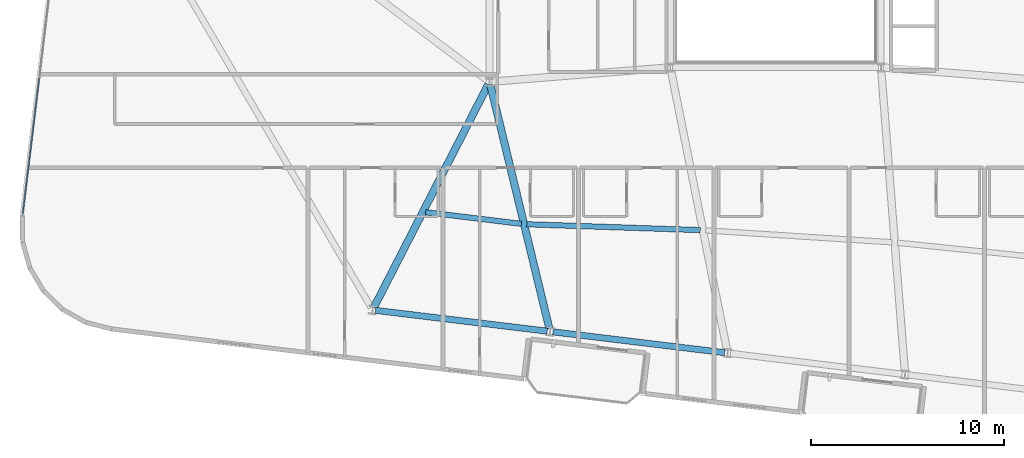
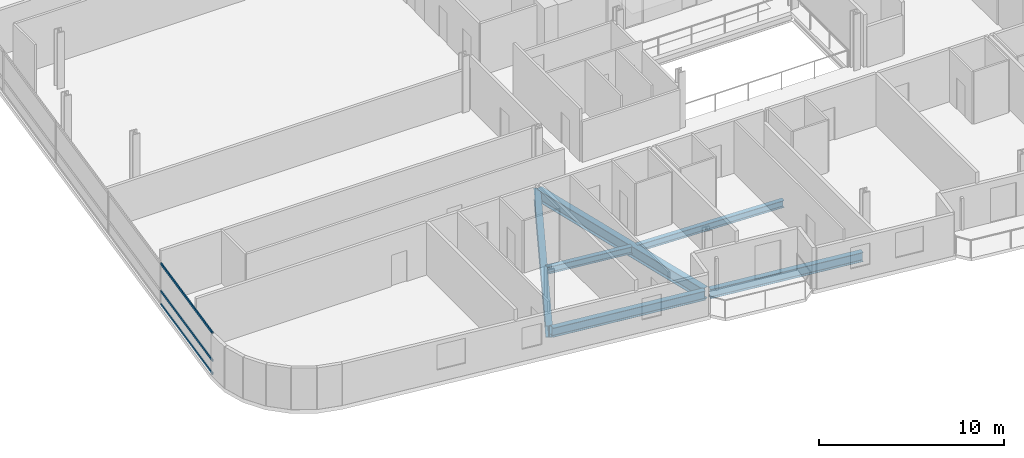
# One storey, part 3 of 26: 6 beams, 3 members, 1 element without a shape of its own.
"""IFC4 building model written with IfcOpenShell, lengths in metres."""

from ifc_helpers import new_model, si_unit, direction, frame, origin, origin_2d, place, context, subcontext, project, spatial, hollow_rectangle, i_section, extrude, material, layer, layer_set, material_profile, profile_set, type_object, element, aggregate, save


model = new_model("IFC4")

# Units and contexts
model_context = context("Model", 3, precision=1e-05, world=origin(), true_north=direction((0.0, 1.0)))
body_context = subcontext(model_context, "Body", "Model", "MODEL_VIEW")
ifc_project = project(units=[si_unit("LENGTHUNIT", "METRE"), si_unit("AREAUNIT", "SQUARE_METRE"), si_unit("VOLUMEUNIT", "CUBIC_METRE"), si_unit("PLANEANGLEUNIT", "RADIAN"), si_unit("MASSUNIT", "GRAM", prefix="KILO")], contexts=[model_context])

# Site, building, storey
site_placement = place(None, origin())
site = spatial("IfcSite", under=ifc_project, at=site_placement, CompositionType="ELEMENT")
building_placement = place(site_placement, origin())
building = spatial("IfcBuilding", under=site, at=building_placement, Name="Varnelok Gate Tower", CompositionType="ELEMENT")
storey_placement = place(building_placement, frame((0.0, 0.0, 155.0)))
storey = spatial("IfcBuildingStorey", under=building, at=storey_placement, Name="L39", CompositionType="ELEMENT", Elevation=155.0)

# Beams
ifc_material_1 = material(Name="Structural Steel ASTM A992 Grade 50", Category="steel")
ifc_material_profile_1 = material_profile(ifc_material_1, i_section(OverallWidth=0.280029296875, OverallDepth=0.462890625, WebThickness=0.0107421875, FlangeThickness=0.017333984375, FilletRadius=0.014892578125, at=origin_2d()), Name="W18X76")
ifc_profile_set_1 = profile_set([ifc_material_profile_1], Name="Structural Steel ASTM A992 Grade 50")
beam_type_1 = type_object("IfcBeamType", Name="BM-JST-W18X76", PredefinedType="JOIST", material=ifc_profile_set_1)
beam_1_placement = place(storey_placement, frame((21.087890625, 12.055419921875, -0.4814453125), z_axis=(0.992726345513, -0.120392702953, 0.0), x_axis=(0.120392702953, 0.992726345513, 0.0)))
element("IfcBeam", 1, at=beam_1_placement, inside=storey, type_object=beam_type_1, Name="L39 Sector Floor Joist 1", PredefinedType="JOIST", context=body_context, shape_type="SweptSolid", body=[
    extrude(i_section(OverallWidth=0.280029296875, OverallDepth=0.462890625, WebThickness=0.0107421875, FlangeThickness=0.017333984375, FilletRadius=0.014892578125, at=origin_2d()), origin(), (0.0, 0.0, 1.0), 4.99267578125),
])
beam_2_placement = place(storey_placement, frame((26.3232421875, 11.432861328125, -0.4814453125), z_axis=(0.999432496995, -0.03368507015, 0.0), x_axis=(0.03368507015, 0.999432496995, 0.0)))
element("IfcBeam", 2, at=beam_2_placement, inside=storey, type_object=beam_type_1, Name="L39 Sector Floor Joist 2", PredefinedType="JOIST", context=body_context, shape_type="SweptSolid", body=[
    extrude(i_section(OverallWidth=0.280029296875, OverallDepth=0.462890625, WebThickness=0.0107421875, FlangeThickness=0.017333984375, FilletRadius=0.014892578125, at=origin_2d()), origin(), (0.0, 0.0, 1.0), 8.97998046875),
])
ifc_material_profile_2 = material_profile(ifc_material_1, i_section(OverallWidth=0.381103515625, OverallDepth=0.77294921875, WebThickness=0.0166015625, FlangeThickness=0.027099609375, FilletRadius=0.02197265625, at=origin_2d()), Name="W30X173")
ifc_profile_set_2 = profile_set([ifc_material_profile_2], Name="Structural Steel ASTM A992 Grade 50")
beam_type_2 = type_object("IfcBeamType", Name="BM-PRI-W30X173", PredefinedType="BEAM", material=ifc_profile_set_2)
beam_3_placement = place(storey_placement, frame((24.33154296875, 18.66650390625, -0.636474609375), z_axis=(-0.456386604987, -0.889781583754, 0.0), x_axis=(0.889781583754, -0.456386604987, 0.0)))
element("IfcBeam", 3, at=beam_3_placement, inside=storey, type_object=beam_type_2, Name="L39 Radial Floor Girder 1", PredefinedType="BEAM", context=body_context, shape_type="SweptSolid", body=[
    extrude(i_section(OverallWidth=0.381103515625, OverallDepth=0.77294921875, WebThickness=0.0166015625, FlangeThickness=0.027099609375, FilletRadius=0.02197265625, at=origin_2d()), origin(), (0.0, 0.0, 1.0), 12.96533203125),
])
beam_4_placement = place(storey_placement, frame((24.435302734375, 18.654296875, -0.636474609375), z_axis=(0.235400453941, -0.971898465008, 0.0), x_axis=(0.971898465008, 0.235400453941, 0.0)))
element("IfcBeam", 4, at=beam_4_placement, inside=storey, type_object=beam_type_2, Name="L39 Radial Floor Girder 2", PredefinedType="BEAM", context=body_context, shape_type="SweptSolid", body=[
    extrude(i_section(OverallWidth=0.381103515625, OverallDepth=0.77294921875, WebThickness=0.0166015625, FlangeThickness=0.027099609375, FilletRadius=0.02197265625, at=origin_2d()), origin(), (0.0, 0.0, 1.0), 12.989990234375),
])
ifc_material_profile_3 = material_profile(ifc_material_1, i_section(OverallWidth=0.323974609375, OverallDepth=0.611083984375, WebThickness=0.0126953125, FlangeThickness=0.01904296875, FilletRadius=0.01806640625, at=origin_2d()), Name="W24X104")
ifc_profile_set_3 = profile_set([ifc_material_profile_3], Name="Structural Steel ASTM A992 Grade 50")
beam_type_3 = type_object("IfcBeamType", Name="BM-SPN-W24X104", PredefinedType="SPANDREL", material=ifc_profile_set_3)
for number, where, z_axis, x_axis, name in (
    (5, (18.49462890625, 6.978515625, -0.555419921875), (0.992734670707, -0.120324035735, 0.0), (0.120324035735, 0.992734670707, 0.0), "L39 Perimeter Spandrel Beam 1"),
    (6, (27.677490234375, 5.865478515625, -0.555419921875), (0.99273141198, -0.120350918849, 0.0), (0.120350918849, 0.99273141198, 0.0), "L39 Perimeter Spandrel Beam 2"),
):
    element("IfcBeam", number, at=place(storey_placement, frame(where, z_axis=z_axis, x_axis=x_axis)), inside=storey, type_object=beam_type_3, Name=name, PredefinedType="SPANDREL", context=body_context, shape_type="SweptSolid", body=[
        extrude(i_section(OverallWidth=0.323974609375, OverallDepth=0.611083984375, WebThickness=0.0126953125, FlangeThickness=0.01904296875, FilletRadius=0.01806640625, at=origin_2d()), origin(), (0.0, 0.0, 1.0), 8.949951171875),
    ])

# Curtain wall, members
ifc_material_2 = material(Name="Anodized Aluminum Alloy 6063-T6", Category="aluminium")
ifc_layer = layer(ifc_material_2, 0.179931640625)
ifc_layer_set = layer_set([ifc_layer], Name="Anodized Aluminum Alloy 6063-T6")
curtain_wall_type = type_object("IfcCurtainWallType", Name="CW3-HOTEL-VISION", PredefinedType="USERDEFINED", material=ifc_layer_set)
curtain_wall_placement = place(storey_placement, origin())
curtain_wall = element("IfcCurtainWall", 7, at=curtain_wall_placement, inside=storey, type_object=curtain_wall_type, Name="L39 West End Vision Curtain Wall", ObjectType="UNITISED CURTAIN WALL", PredefinedType="USERDEFINED")
ifc_material_profile_4 = material_profile(ifc_material_2, hollow_rectangle(XDim=0.06494140625, YDim=0.159912109375, WallThickness=0.00390625, at=origin_2d()), Name="ALU160X65X4")
ifc_profile_set_4 = profile_set([ifc_material_profile_4], Name="Anodized Aluminum Alloy 6063-T6")
member_type = type_object("IfcMemberType", Name="CW-TRAN-160", PredefinedType="USERDEFINED", material=ifc_profile_set_4)
member_1_placement = place(storey_placement, frame((0.2509765625, 11.955322265625, 0.032470703125), z_axis=(0.120344712857, 0.992732164326, 0.0), x_axis=(-0.992732164326, 0.120344712857, 0.0)))
member_1 = element("IfcMember", 8, at=member_1_placement, type_object=member_type, Name="CW3 transom 1.1", ObjectType="TRANSOM", PredefinedType="USERDEFINED", context=body_context, shape_type="SweptSolid", body=[
    extrude(hollow_rectangle(XDim=0.06494140625, YDim=0.159912109375, WallThickness=0.00390625, at=origin_2d()), origin(), (0.0, 0.0, 1.0), 7.102294921875),
])
member_2_placement = place(storey_placement, frame((0.2509765625, 11.955322265625, 0.89990234375), z_axis=(0.120344712857, 0.992732164326, 0.0), x_axis=(-0.992732164326, 0.120344712857, 0.0)))
member_2 = element("IfcMember", 9, at=member_2_placement, type_object=member_type, Name="CW3 transom 1.2", ObjectType="TRANSOM", PredefinedType="USERDEFINED", context=body_context, shape_type="SweptSolid", body=[
    extrude(hollow_rectangle(XDim=0.06494140625, YDim=0.159912109375, WallThickness=0.00390625, at=origin_2d()), origin(), (0.0, 0.0, 1.0), 7.102294921875),
])
member_3_placement = place(storey_placement, frame((0.2509765625, 11.955322265625, 2.697509765625), z_axis=(0.120344712857, 0.992732164326, 0.0), x_axis=(-0.992732164326, 0.120344712857, 0.0)))
member_3 = element("IfcMember", 10, at=member_3_placement, type_object=member_type, Name="CW3 transom 1.3", ObjectType="TRANSOM", PredefinedType="USERDEFINED", context=body_context, shape_type="SweptSolid", body=[
    extrude(hollow_rectangle(XDim=0.06494140625, YDim=0.159912109375, WallThickness=0.00390625, at=origin_2d()), origin(), (0.0, 0.0, 1.0), 7.102294921875),
])
aggregate(curtain_wall, [member_1, member_2, member_3])

save(model, "model.ifc")
